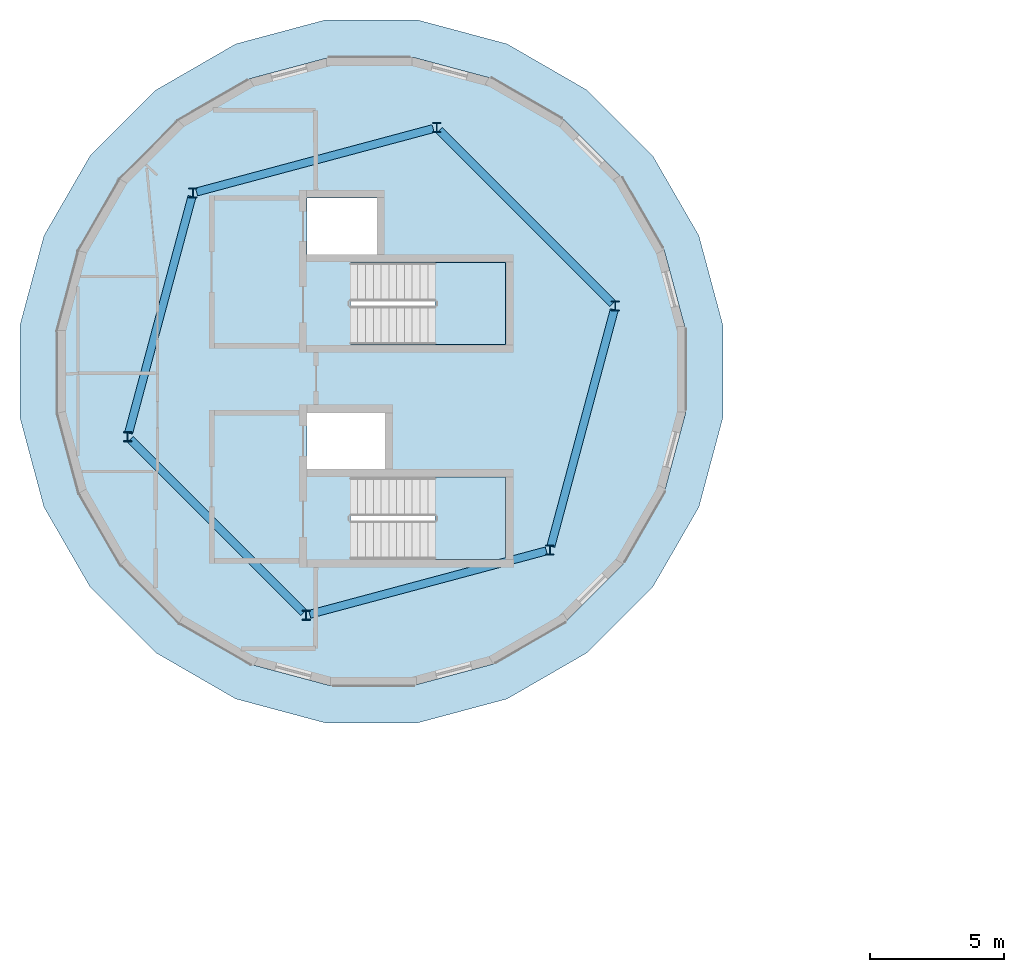
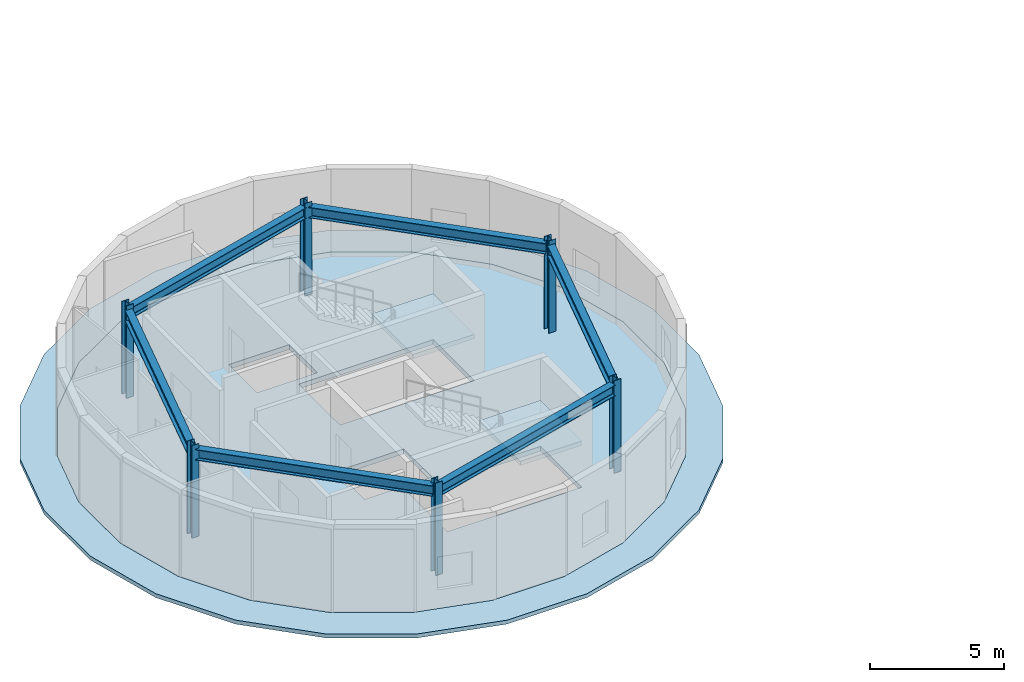
# One storey, part 1 of 5: 6 beams, 6 columns, 4 slabs, 2 elements without a shape of their own.
"""IFC4 building model written with IfcOpenShell, lengths in metres."""

from ifc_helpers import new_model, si_unit, direction, frame, origin, origin_2d, place, context, subcontext, project, spatial, polyline, i_section, outline, extrude, material, layer, layer_set, material_profile, profile_set, type_object, element, aggregate, save


model = new_model("IFC4")

# Units and contexts
model_context = context("Model", 3, precision=1e-05, world=origin(), true_north=direction((0.0, 1.0)))
body_context = subcontext(model_context, "Body", "Model", "MODEL_VIEW")
ifc_project = project(units=[si_unit("LENGTHUNIT", "METRE"), si_unit("AREAUNIT", "SQUARE_METRE"), si_unit("VOLUMEUNIT", "CUBIC_METRE"), si_unit("PLANEANGLEUNIT", "RADIAN"), si_unit("MASSUNIT", "GRAM", prefix="KILO")], contexts=[model_context])

# Site, building, storey
site_placement = place(None, origin())
site = spatial("IfcSite", under=ifc_project, at=site_placement, CompositionType="ELEMENT")
building_placement = place(site_placement, origin())
building = spatial("IfcBuilding", under=site, at=building_placement, Name="Varnklinge Art Gallery", CompositionType="ELEMENT")
storey_placement = place(building_placement, frame((0.0, 0.0, 21.60009765625)))
storey = spatial("IfcBuildingStorey", under=building, at=storey_placement, Name="L05", CompositionType="ELEMENT", Elevation=21.60009765625)

# Columns
ifc_material_1 = material(Name="Steel S355", Category="steel")
ifc_material_profile_1 = material_profile(ifc_material_1, i_section(OverallWidth=0.300048828125, OverallDepth=0.360107421875, WebThickness=0.012451171875, FlangeThickness=0.0224609375, FilletRadius=0.027099609375, at=origin_2d()), Name="HEB 360")
ifc_profile_set_1 = profile_set([ifc_material_profile_1], Name="Steel S355")
column_type = type_object("IfcColumnType", Name="COL-08", PredefinedType="COLUMN", material=ifc_profile_set_1)
for number, where, z_axis, x_axis, name in (
    (1, (84.57958984375, 40.932861328125, 0.0), (0.0, 0.0, 1.0), (1.0, 0.0, 0.0), "L05 Column V4CI-1"),
    (2, (77.932861328125, 47.57958984375, 0.0), (0.0, 0.0, 1.0), (1.0, 0.0, 0.0), "L05 Column V4CI-2"),
    (3, (68.853271484375, 45.146728515625, 0.0), (0.0, 0.0, 1.0), (1.0, 0.0, 0.0), "L05 Column V4CI-3"),
    (4, (66.42041015625, 36.067138671875, 0.0), (0.0, 0.0, 1.0), (1.0, 0.0, 0.0), "L05 Column V4CI-4"),
    (5, (73.067138671875, 29.42041015625, 0.0), (0.0, 0.0, 1.0), (1.0, 0.0, 0.0), "L05 Column V4CI-5"),
    (6, (82.146728515625, 31.853271484375, 0.0), (0.0, 0.0, 1.0), (1.0, 0.0, 0.0), "L05 Column V4CI-6"),
):
    element("IfcColumn", number, at=place(storey_placement, frame(where, z_axis=z_axis, x_axis=x_axis)), inside=storey, type_object=column_type, Name=name, PredefinedType="COLUMN", context=body_context, shape_type="SweptSolid", body=[
        extrude(i_section(OverallWidth=0.300048828125, OverallDepth=0.360107421875, WebThickness=0.012451171875, FlangeThickness=0.0224609375, FilletRadius=0.027099609375, at=origin_2d()), origin(), (0.0, 0.0, 1.0), 4.199951171875),
    ])

# Beams
ifc_material_2 = material(Name="Steel S355", Category="steel")
ifc_material_profile_2 = material_profile(ifc_material_2, i_section(OverallWidth=0.300048828125, OverallDepth=0.489990234375, WebThickness=0.011962890625, FlangeThickness=0.02294921875, FilletRadius=0.027099609375, at=origin_2d()), Name="HEA 500")
ifc_profile_set_2 = profile_set([ifc_material_profile_2], Name="Steel S355")
beam_type = type_object("IfcBeamType", Name="BM-07", PredefinedType="BEAM", material=ifc_profile_set_2)
beam_1_placement = place(storey_placement, frame((84.480712890625, 41.031982421875, 3.7548828125), z_axis=(-0.707106781187, 0.707106781187, 0.0), x_axis=(-0.707106781187, -0.707106781187, 0.0)))
element("IfcBeam", 7, at=beam_1_placement, inside=storey, type_object=beam_type, Name="L05 BM-07 BM-V4D-Roof-I1", PredefinedType="BEAM", context=body_context, shape_type="SweptSolid", body=[
    extrude(i_section(OverallWidth=0.300048828125, OverallDepth=0.489990234375, WebThickness=0.011962890625, FlangeThickness=0.02294921875, FilletRadius=0.027099609375, at=origin_2d()), origin(), (0.0, 0.0, 1.0), 9.119873046875),
])
for number, where, z_axis, x_axis, name in (
    (8, (77.797607421875, 47.54345703125, 3.7548828125), (-0.965928574877, -0.258808787016, 0.0), (0.258808787016, -0.965928574877, 0.0), "L05 BM-07 BM-V4D-Roof-I2"),
    (9, (68.81689453125, 45.01171875, 3.7548828125), (-0.258808787016, -0.965928574877, 0.0), (0.965928574877, -0.258808787016, 0.0), "L05 BM-07 BM-V4D-Roof-I3"),
):
    element("IfcBeam", number, at=place(storey_placement, frame(where, z_axis=z_axis, x_axis=x_axis)), inside=storey, type_object=beam_type, Name=name, PredefinedType="BEAM", context=body_context, shape_type="SweptSolid", body=[
        extrude(i_section(OverallWidth=0.300048828125, OverallDepth=0.489990234375, WebThickness=0.011962890625, FlangeThickness=0.02294921875, FilletRadius=0.027099609375, at=origin_2d()), origin(), (0.0, 0.0, 1.0), 9.1201171875),
    ])
beam_2_placement = place(storey_placement, frame((66.519287109375, 35.968017578125, 3.7548828125), z_axis=(0.707106781187, -0.707106781187, 0.0), x_axis=(0.707106781187, 0.707106781187, 0.0)))
element("IfcBeam", 10, at=beam_2_placement, inside=storey, type_object=beam_type, Name="L05 BM-07 BM-V4D-Roof-I4", PredefinedType="BEAM", context=body_context, shape_type="SweptSolid", body=[
    extrude(i_section(OverallWidth=0.300048828125, OverallDepth=0.489990234375, WebThickness=0.011962890625, FlangeThickness=0.02294921875, FilletRadius=0.027099609375, at=origin_2d()), origin(), (0.0, 0.0, 1.0), 9.119873046875),
])
for number, where, z_axis, x_axis, name in (
    (11, (73.202392578125, 29.45654296875, 3.7548828125), (0.965928574877, 0.258808787016, 0.0), (-0.258808787016, 0.965928574877, 0.0), "L05 BM-07 BM-V4D-Roof-I5"),
    (12, (82.18310546875, 31.98828125, 3.7548828125), (0.258808787016, 0.965928574877, 0.0), (-0.965928574877, 0.258808787016, 0.0), "L05 BM-07 BM-V4D-Roof-I6"),
):
    element("IfcBeam", number, at=place(storey_placement, frame(where, z_axis=z_axis, x_axis=x_axis)), inside=storey, type_object=beam_type, Name=name, PredefinedType="BEAM", context=body_context, shape_type="SweptSolid", body=[
        extrude(i_section(OverallWidth=0.300048828125, OverallDepth=0.489990234375, WebThickness=0.011962890625, FlangeThickness=0.02294921875, FilletRadius=0.027099609375, at=origin_2d()), origin(), (0.0, 0.0, 1.0), 9.1201171875),
    ])

# Slab
ifc_material_3 = material(Name="Concrete C35/45", Category="concrete")
ifc_layer_1 = layer(ifc_material_3, 0.219970703125)
ifc_layer_set_1 = layer_set([ifc_layer_1], Name="Concrete C35/45")
slab_type_1 = type_object("IfcSlabType", Name="SLB-F22", PredefinedType="FLOOR", material=ifc_layer_set_1)
slab_1_placement = place(storey_placement, frame((0.0, 0.0, -0.22021484375)))
element("IfcSlab", 13, at=slab_1_placement, inside=storey, type_object=slab_type_1, Name="L05 Pavilion Drum Floor Slab", PredefinedType="FLOOR", context=body_context, shape_type="SweptSolid", body=[
    extrude(outline(polyline([(84.861572265625, 31.316650390625), (86.40185546875, 33.984375), (87.198974609375, 36.959716796875), (87.198974609375, 40.040283203125), (86.40185546875, 43.015625), (84.861572265625, 45.683349609375), (82.683349609375, 47.861572265625), (80.015625, 49.40185546875), (77.040283203125, 50.198974609375), (73.959716796875, 50.198974609375), (70.984375, 49.40185546875), (68.316650390625, 47.861572265625), (66.138427734375, 45.683349609375), (64.59814453125, 43.015625), (63.801025390625, 40.040283203125), (63.801025390625, 36.959716796875), (64.59814453125, 33.984375), (66.138427734375, 31.316650390625), (68.316650390625, 29.138427734375), (70.984375, 27.59814453125), (73.959716796875, 26.801025390625), (77.040283203125, 26.801025390625), (80.015625, 27.59814453125), (82.683349609375, 29.138427734375), (84.861572265625, 31.316650390625)]), holes=[polyline([(74.72509765625, 31.5), (74.72509765625, 34.56005859375), (80.5, 34.56005859375), (80.5, 31.5), (74.72509765625, 31.5)]), polyline([(73.10009765625, 36.9599609375), (76.0, 36.9599609375), (76.0, 34.860107421875), (73.10009765625, 34.860107421875), (73.10009765625, 36.9599609375)]), polyline([(80.5, 42.56005859375), (80.5, 39.5), (74.72509765625, 39.5), (74.72509765625, 42.56005859375), (80.5, 42.56005859375)]), polyline([(75.699951171875, 42.860107421875), (73.10009765625, 42.860107421875), (73.10009765625, 44.9599609375), (75.699951171875, 44.9599609375), (75.699951171875, 42.860107421875)])]), origin(), (0.0, 0.0, 1.0), 0.22021484375),
])

# Stair, slab
ifc_material_4 = material(Name="Concrete C40/50", Category="concrete")
stair_type = type_object("IfcStairType", Name="STR-C4200", PredefinedType="HALF_TURN_STAIR", material=ifc_material_4)
stair_1_placement = place(storey_placement, origin())
stair_1 = element("IfcStair", 14, at=stair_1_placement, inside=storey, type_object=stair_type, Name="L05 Core C1 Stair ST-01", PredefinedType="HALF_TURN_STAIR")
ifc_material_5 = material(Name="Concrete C40/50", Category="concrete")
ifc_layer_2 = layer(ifc_material_5, 0.199951171875)
ifc_layer_set_2 = layer_set([ifc_layer_2], Name="Concrete C40/50")
slab_type_2 = type_object("IfcSlabType", Name="SLB-LND20", PredefinedType="LANDING", material=ifc_layer_set_2)
slab_2_placement = place(storey_placement, frame((0.0, 0.0, 1.89990234375)))
slab_2 = element("IfcSlab", 15, at=slab_2_placement, type_object=slab_type_2, Name="ST-01 landing 1", PredefinedType="LANDING", context=body_context, shape_type="SweptSolid", body=[
    extrude(outline(polyline([(77.860107421875, 31.5), (80.5, 31.5), (80.5, 34.56005859375), (77.860107421875, 34.56005859375), (77.860107421875, 31.5)])), origin(), (0.0, 0.0, 1.0), 0.199951171875),
])
aggregate(stair_1, [slab_2])

stair_2_placement = place(storey_placement, origin())
stair_2 = element("IfcStair", 16, at=stair_2_placement, inside=storey, type_object=stair_type, Name="L05 Core C2 Stair ST-02", PredefinedType="HALF_TURN_STAIR")
slab_3_placement = place(storey_placement, frame((0.0, 0.0, 1.89990234375)))
slab_3 = element("IfcSlab", 17, at=slab_3_placement, type_object=slab_type_2, Name="ST-02 landing 1", PredefinedType="LANDING", context=body_context, shape_type="SweptSolid", body=[
    extrude(outline(polyline([(77.860107421875, 39.5), (80.5, 39.5), (80.5, 42.56005859375), (77.860107421875, 42.56005859375), (77.860107421875, 39.5)])), origin(), (0.0, 0.0, 1.0), 0.199951171875),
])
aggregate(stair_2, [slab_3])

# Slab
ifc_material_6 = material(Name="Precast concrete C40/50", Category="concrete")
ifc_layer_3 = layer(ifc_material_6, 0.179931640625)
ifc_layer_set_3 = layer_set([ifc_layer_3], Name="Precast concrete C40/50")
slab_type_3 = type_object("IfcSlabType", Name="SLB-ROOF18", PredefinedType="ROOF", material=ifc_layer_set_3)
slab_4_placement = place(storey_placement, frame((0.0, 0.0, -0.18017578125)))
element("IfcSlab", 18, at=slab_4_placement, inside=storey, type_object=slab_type_3, Name="L05 Drum Setback Cap Roof", PredefinedType="ROOF", context=body_context, shape_type="SweptSolid", body=[
    extrude(outline(polyline([(88.587158203125, 36.777099609375), (88.587158203125, 40.222900390625), (87.6953125, 43.551513671875), (85.972412109375, 46.53564453125), (83.53564453125, 48.972412109375), (80.551513671875, 50.6953125), (77.222900390625, 51.587158203125), (73.777099609375, 51.587158203125), (70.448486328125, 50.6953125), (67.46435546875, 48.972412109375), (65.027587890625, 46.53564453125), (63.3046875, 43.551513671875), (62.412841796875, 40.222900390625), (62.412841796875, 36.777099609375), (63.3046875, 33.448486328125), (65.027587890625, 30.46435546875), (67.46435546875, 28.027587890625), (70.448486328125, 26.3046875), (73.777099609375, 25.412841796875), (77.222900390625, 25.412841796875), (80.551513671875, 26.3046875), (83.53564453125, 28.027587890625), (85.972412109375, 30.46435546875), (87.6953125, 33.448486328125), (88.587158203125, 36.777099609375)]), holes=[polyline([(84.861572265625, 31.316650390625), (82.683349609375, 29.138427734375), (80.015625, 27.59814453125), (77.040283203125, 26.801025390625), (73.959716796875, 26.801025390625), (70.984375, 27.59814453125), (68.316650390625, 29.138427734375), (66.138427734375, 31.316650390625), (64.59814453125, 33.984375), (63.801025390625, 36.959716796875), (63.801025390625, 40.040283203125), (64.59814453125, 43.015625), (66.138427734375, 45.683349609375), (68.316650390625, 47.861572265625), (70.984375, 49.40185546875), (73.959716796875, 50.198974609375), (77.040283203125, 50.198974609375), (80.015625, 49.40185546875), (82.683349609375, 47.861572265625), (84.861572265625, 45.683349609375), (86.40185546875, 43.015625), (87.198974609375, 40.040283203125), (87.198974609375, 36.959716796875), (86.40185546875, 33.984375), (84.861572265625, 31.316650390625)])]), origin(), (0.0, 0.0, 1.0), 0.18017578125),
])

save(model, "model.ifc")
